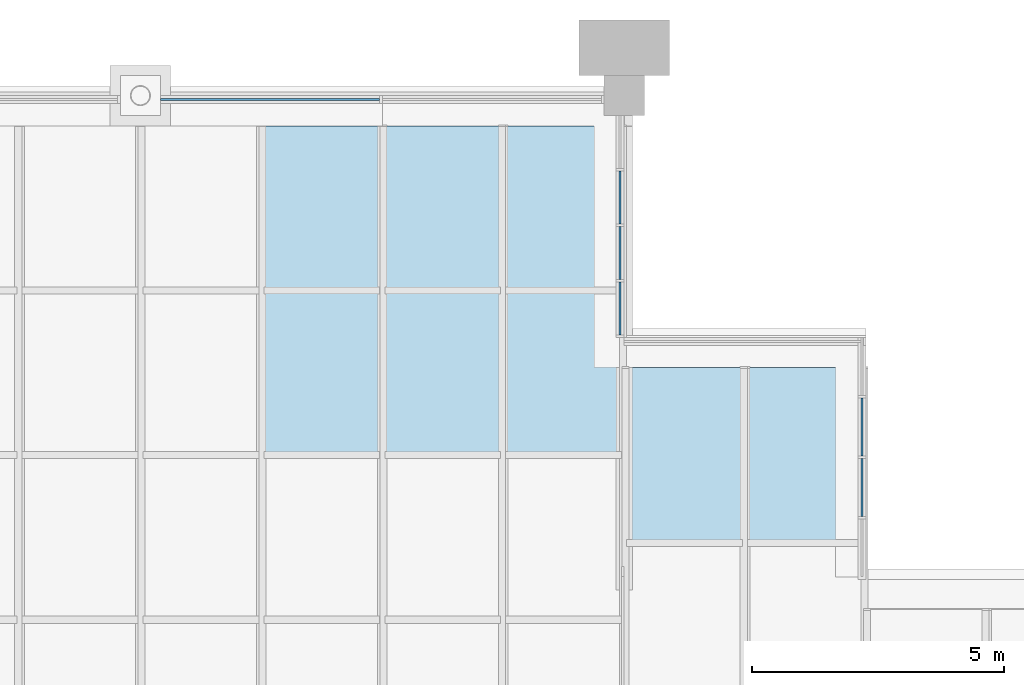
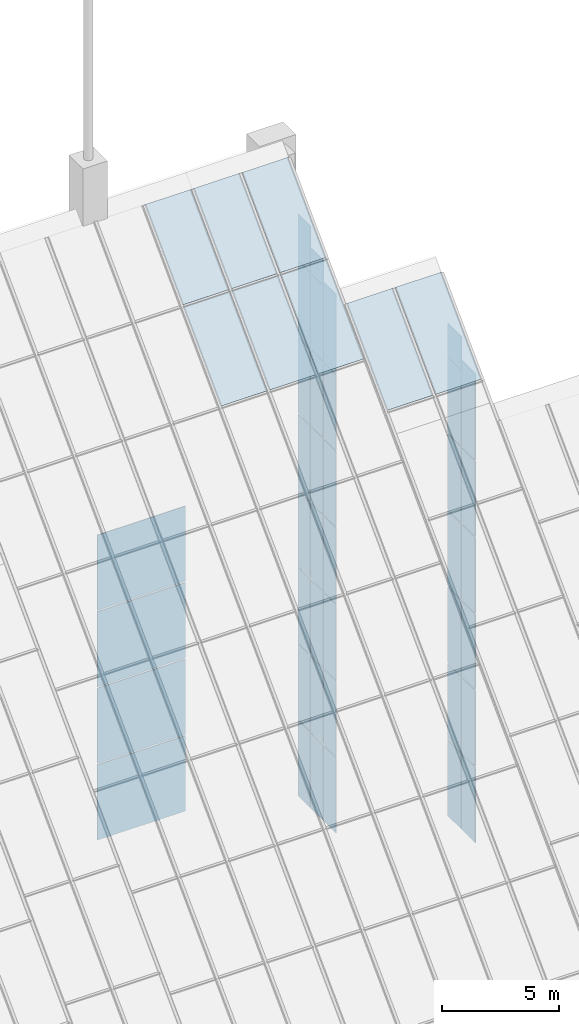
# One storey, part 23 of 25: 48 plates, 45 elements without a shape of their own.
"""IFC4 building model written with IfcOpenShell, lengths in metres."""

from ifc_helpers import new_model, si_unit, direction, frame, origin, origin_2d, place, context, subcontext, project, spatial, polyline, rectangle, outline, extrude, material, layer, layer_set, type_object, element, aggregate, save


model = new_model("IFC4")

# Units and contexts
model_context = context("Model", 3, precision=1e-05, world=origin(), true_north=direction((0.0, 1.0)))
body_context = subcontext(model_context, "Body", "Model", "MODEL_VIEW")
ifc_project = project(units=[si_unit("LENGTHUNIT", "METRE"), si_unit("AREAUNIT", "SQUARE_METRE"), si_unit("VOLUMEUNIT", "CUBIC_METRE"), si_unit("PLANEANGLEUNIT", "RADIAN"), si_unit("MASSUNIT", "GRAM", prefix="KILO")], contexts=[model_context])

# Site, building, storey
site_placement = place(None, origin())
site = spatial("IfcSite", under=ifc_project, at=site_placement, CompositionType="ELEMENT")
building_placement = place(site_placement, origin())
building = spatial("IfcBuilding", under=site, at=building_placement, Name="Baori Bourse Tower", CompositionType="ELEMENT")
storey_placement = place(building_placement, frame((0.0, 0.0, 378.300048828125)))
storey = spatial("IfcBuildingStorey", under=building, at=storey_placement, Name="Roof", CompositionType="ELEMENT", Elevation=378.300048828125)

# Curtain wall, plate
ifc_material_1 = material(Name="Pale anodised aluminium", Category="aluminium")
curtain_wall_type_1 = type_object("IfcCurtainWallType", Name="CW3 Curtain wall", PredefinedType="NOTDEFINED", material=ifc_material_1)
curtain_wall_1_placement = place(storey_placement, origin())
curtain_wall_1 = element("IfcCurtainWall", 1, at=curtain_wall_1_placement, inside=storey, type_object=curtain_wall_type_1, Name="Curtain wall CW3 Roof 7", PredefinedType="NOTDEFINED")
ifc_material_2 = material(Name="Pale anodised aluminium", Category="aluminium")
ifc_layer_1 = layer(ifc_material_2, 0.0400390625)
ifc_layer_set_1 = layer_set([ifc_layer_1], Name="CW3 Curtain wall panel")
plate_type_1 = type_object("IfcPlateType", Name="CW3 Curtain wall panel", PredefinedType="CURTAIN_PANEL", material=ifc_layer_set_1)
plate_1_placement = place(storey_placement, frame((43.1201171875, 40.22509765625, -0.18994140625), z_axis=(0.0, 0.0, 1.0), x_axis=(0.0, 1.0, 0.0)))
plate_1 = element("IfcPlate", 2, at=plate_1_placement, type_object=plate_type_1, Name="Curtain wall CW3 louvre panel", PredefinedType="CURTAIN_PANEL", context=body_context, shape_type="SweptSolid", body=[
    extrude(rectangle(XDim=1.14990234375, YDim=0.0400390625, at=origin_2d()), origin(), (0.0, 0.0, 1.0), 3.93994140625),
])
aggregate(curtain_wall_1, [plate_1])

curtain_wall_2_placement = place(storey_placement, origin())
curtain_wall_2 = element("IfcCurtainWall", 3, at=curtain_wall_2_placement, inside=storey, type_object=curtain_wall_type_1, Name="Curtain wall CW3 Roof 8", PredefinedType="NOTDEFINED")
plate_2_placement = place(storey_placement, frame((43.1201171875, 40.22509765625, 3.81005859375), z_axis=(0.0, 0.0, 1.0), x_axis=(0.0, 1.0, 0.0)))
plate_2 = element("IfcPlate", 4, at=plate_2_placement, type_object=plate_type_1, Name="Curtain wall CW3 louvre panel", PredefinedType="CURTAIN_PANEL", context=body_context, shape_type="SweptSolid", body=[
    extrude(rectangle(XDim=1.14990234375, YDim=0.0400390625, at=origin_2d()), origin(), (0.0, 0.0, 1.0), 3.93994140625),
])
aggregate(curtain_wall_2, [plate_2])

curtain_wall_3_placement = place(storey_placement, origin())
curtain_wall_3 = element("IfcCurtainWall", 5, at=curtain_wall_3_placement, inside=storey, type_object=curtain_wall_type_1, Name="Curtain wall CW3 Roof 9", PredefinedType="NOTDEFINED")
plate_3_placement = place(storey_placement, frame((43.1201171875, 40.22509765625, 7.81005859375), z_axis=(0.0, 0.0, 1.0), x_axis=(0.0, 1.0, 0.0)))
plate_3 = element("IfcPlate", 6, at=plate_3_placement, type_object=plate_type_1, Name="Curtain wall CW3 louvre panel", PredefinedType="CURTAIN_PANEL", context=body_context, shape_type="SweptSolid", body=[
    extrude(rectangle(XDim=1.14990234375, YDim=0.0400390625, at=origin_2d()), origin(), (0.0, 0.0, 1.0), 3.93994140625),
])
aggregate(curtain_wall_3, [plate_3])

curtain_wall_4_placement = place(storey_placement, origin())
curtain_wall_4 = element("IfcCurtainWall", 7, at=curtain_wall_4_placement, inside=storey, type_object=curtain_wall_type_1, Name="Curtain wall CW3 Roof 10", PredefinedType="NOTDEFINED")
plate_4_placement = place(storey_placement, frame((43.1201171875, 40.22509765625, 11.81005859375), z_axis=(0.0, 0.0, 1.0), x_axis=(0.0, 1.0, 0.0)))
plate_4 = element("IfcPlate", 8, at=plate_4_placement, type_object=plate_type_1, Name="Curtain wall CW3 louvre panel", PredefinedType="CURTAIN_PANEL", context=body_context, shape_type="SweptSolid", body=[
    extrude(rectangle(XDim=1.14990234375, YDim=0.0400390625, at=origin_2d()), origin(), (0.0, 0.0, 1.0), 3.93994140625),
])
aggregate(curtain_wall_4, [plate_4])

curtain_wall_5_placement = place(storey_placement, origin())
curtain_wall_5 = element("IfcCurtainWall", 9, at=curtain_wall_5_placement, inside=storey, type_object=curtain_wall_type_1, Name="Curtain wall CW3 Roof 11", PredefinedType="NOTDEFINED")
plate_5_placement = place(storey_placement, frame((43.1201171875, 40.22509765625, 15.81005859375), z_axis=(0.0, 0.0, 1.0), x_axis=(0.0, 1.0, 0.0)))
plate_5 = element("IfcPlate", 10, at=plate_5_placement, type_object=plate_type_1, Name="Curtain wall CW3 louvre panel", PredefinedType="CURTAIN_PANEL", context=body_context, shape_type="SweptSolid", body=[
    extrude(rectangle(XDim=1.14990234375, YDim=0.0400390625, at=origin_2d()), origin(), (0.0, 0.0, 1.0), 3.93994140625),
])
aggregate(curtain_wall_5, [plate_5])

curtain_wall_6_placement = place(storey_placement, origin())
curtain_wall_6 = element("IfcCurtainWall", 11, at=curtain_wall_6_placement, inside=storey, type_object=curtain_wall_type_1, Name="Curtain wall CW3 Roof 12", PredefinedType="NOTDEFINED")
plate_6_placement = place(storey_placement, frame((43.1201171875, 40.22509765625, 19.81005859375), z_axis=(0.0, 0.0, 1.0), x_axis=(0.0, 1.0, 0.0)))
plate_6 = element("IfcPlate", 12, at=plate_6_placement, type_object=plate_type_1, Name="Curtain wall CW3 louvre panel", PredefinedType="CURTAIN_PANEL", context=body_context, shape_type="SweptSolid", body=[
    extrude(rectangle(XDim=1.14990234375, YDim=0.0400390625, at=origin_2d()), origin(), (0.0, 0.0, 1.0), 4.514892578125),
])
aggregate(curtain_wall_6, [plate_6])

curtain_wall_7_placement = place(storey_placement, origin())
curtain_wall_7 = element("IfcCurtainWall", 13, at=curtain_wall_7_placement, inside=storey, type_object=curtain_wall_type_1, Name="Curtain wall CW3 Roof 13", PredefinedType="NOTDEFINED")
plate_7_placement = place(storey_placement, frame((43.1201171875, 41.425048828125, -0.18994140625), z_axis=(0.0, 0.0, 1.0), x_axis=(0.0, 1.0, 0.0)))
plate_7 = element("IfcPlate", 14, at=plate_7_placement, type_object=plate_type_1, Name="Curtain wall CW3 louvre panel", PredefinedType="CURTAIN_PANEL", context=body_context, shape_type="SweptSolid", body=[
    extrude(rectangle(XDim=1.14990234375, YDim=0.0400390625, at=origin_2d()), origin(), (0.0, 0.0, 1.0), 3.93994140625),
])
aggregate(curtain_wall_7, [plate_7])

curtain_wall_8_placement = place(storey_placement, origin())
curtain_wall_8 = element("IfcCurtainWall", 15, at=curtain_wall_8_placement, inside=storey, type_object=curtain_wall_type_1, Name="Curtain wall CW3 Roof 14", PredefinedType="NOTDEFINED")
plate_8_placement = place(storey_placement, frame((43.1201171875, 41.425048828125, 3.81005859375), z_axis=(0.0, 0.0, 1.0), x_axis=(0.0, 1.0, 0.0)))
plate_8 = element("IfcPlate", 16, at=plate_8_placement, type_object=plate_type_1, Name="Curtain wall CW3 louvre panel", PredefinedType="CURTAIN_PANEL", context=body_context, shape_type="SweptSolid", body=[
    extrude(rectangle(XDim=1.14990234375, YDim=0.0400390625, at=origin_2d()), origin(), (0.0, 0.0, 1.0), 3.93994140625),
])
aggregate(curtain_wall_8, [plate_8])

curtain_wall_9_placement = place(storey_placement, origin())
curtain_wall_9 = element("IfcCurtainWall", 17, at=curtain_wall_9_placement, inside=storey, type_object=curtain_wall_type_1, Name="Curtain wall CW3 Roof 15", PredefinedType="NOTDEFINED")
plate_9_placement = place(storey_placement, frame((43.1201171875, 41.425048828125, 7.81005859375), z_axis=(0.0, 0.0, 1.0), x_axis=(0.0, 1.0, 0.0)))
plate_9 = element("IfcPlate", 18, at=plate_9_placement, type_object=plate_type_1, Name="Curtain wall CW3 louvre panel", PredefinedType="CURTAIN_PANEL", context=body_context, shape_type="SweptSolid", body=[
    extrude(rectangle(XDim=1.14990234375, YDim=0.0400390625, at=origin_2d()), origin(), (0.0, 0.0, 1.0), 3.93994140625),
])
aggregate(curtain_wall_9, [plate_9])

curtain_wall_10_placement = place(storey_placement, origin())
curtain_wall_10 = element("IfcCurtainWall", 19, at=curtain_wall_10_placement, inside=storey, type_object=curtain_wall_type_1, Name="Curtain wall CW3 Roof 16", PredefinedType="NOTDEFINED")
plate_10_placement = place(storey_placement, frame((43.1201171875, 41.425048828125, 11.81005859375), z_axis=(0.0, 0.0, 1.0), x_axis=(0.0, 1.0, 0.0)))
plate_10 = element("IfcPlate", 20, at=plate_10_placement, type_object=plate_type_1, Name="Curtain wall CW3 louvre panel", PredefinedType="CURTAIN_PANEL", context=body_context, shape_type="SweptSolid", body=[
    extrude(rectangle(XDim=1.14990234375, YDim=0.0400390625, at=origin_2d()), origin(), (0.0, 0.0, 1.0), 3.93994140625),
])
aggregate(curtain_wall_10, [plate_10])

curtain_wall_11_placement = place(storey_placement, origin())
curtain_wall_11 = element("IfcCurtainWall", 21, at=curtain_wall_11_placement, inside=storey, type_object=curtain_wall_type_1, Name="Curtain wall CW3 Roof 17", PredefinedType="NOTDEFINED")
plate_11_placement = place(storey_placement, frame((43.1201171875, 41.425048828125, 15.81005859375), z_axis=(0.0, 0.0, 1.0), x_axis=(0.0, 1.0, 0.0)))
plate_11 = element("IfcPlate", 22, at=plate_11_placement, type_object=plate_type_1, Name="Curtain wall CW3 louvre panel", PredefinedType="CURTAIN_PANEL", context=body_context, shape_type="SweptSolid", body=[
    extrude(rectangle(XDim=1.14990234375, YDim=0.0400390625, at=origin_2d()), origin(), (0.0, 0.0, 1.0), 3.93994140625),
])
aggregate(curtain_wall_11, [plate_11])

curtain_wall_12_placement = place(storey_placement, origin())
curtain_wall_12 = element("IfcCurtainWall", 23, at=curtain_wall_12_placement, inside=storey, type_object=curtain_wall_type_1, Name="Curtain wall CW3 Roof 18", PredefinedType="NOTDEFINED")
plate_12_placement = place(storey_placement, frame((43.1201171875, 41.425048828125, 19.81005859375), z_axis=(0.0, 0.0, 1.0), x_axis=(0.0, 1.0, 0.0)))
plate_12 = element("IfcPlate", 24, at=plate_12_placement, type_object=plate_type_1, Name="Curtain wall CW3 louvre panel", PredefinedType="CURTAIN_PANEL", context=body_context, shape_type="SweptSolid", body=[
    extrude(rectangle(XDim=1.14990234375, YDim=0.0400390625, at=origin_2d()), origin(), (0.0, 0.0, 1.0), 3.93994140625),
])
aggregate(curtain_wall_12, [plate_12])

curtain_wall_13_placement = place(storey_placement, origin())
curtain_wall_13 = element("IfcCurtainWall", 25, at=curtain_wall_13_placement, inside=storey, type_object=curtain_wall_type_1, Name="Curtain wall CW3 Roof 19", PredefinedType="NOTDEFINED")
plate_13_placement = place(storey_placement, frame((43.1201171875, 41.425048828125, 23.81005859375), z_axis=(0.0, 0.0, 1.0), x_axis=(0.0, 1.0, 0.0)))
plate_13 = element("IfcPlate", 26, at=plate_13_placement, type_object=plate_type_1, Name="Curtain wall CW3 louvre panel", PredefinedType="CURTAIN_PANEL", context=body_context, shape_type="SweptSolid", body=[
    extrude(rectangle(XDim=1.14990234375, YDim=0.0400390625, at=origin_2d()), origin(), (0.0, 0.0, 1.0), 1.72998046875),
])
aggregate(curtain_wall_13, [plate_13])

curtain_wall_14_placement = place(storey_placement, origin())
curtain_wall_14 = element("IfcCurtainWall", 27, at=curtain_wall_14_placement, inside=storey, type_object=curtain_wall_type_1, Name="Curtain wall CW3 Roof 34", PredefinedType="NOTDEFINED")
plate_14_placement = place(storey_placement, frame((38.320068359375, 43.77490234375, -0.18994140625), z_axis=(0.0, 0.0, 1.0), x_axis=(0.0, 1.0, 0.0)))
plate_14 = element("IfcPlate", 28, at=plate_14_placement, type_object=plate_type_1, Name="Curtain wall CW3 louvre panel", PredefinedType="CURTAIN_PANEL", context=body_context, shape_type="SweptSolid", body=[
    extrude(rectangle(XDim=1.050048828125, YDim=0.0400390625, at=origin_2d()), origin(), (0.0, 0.0, 1.0), 3.93994140625),
])
aggregate(curtain_wall_14, [plate_14])

curtain_wall_15_placement = place(storey_placement, origin())
curtain_wall_15 = element("IfcCurtainWall", 29, at=curtain_wall_15_placement, inside=storey, type_object=curtain_wall_type_1, Name="Curtain wall CW3 Roof 35", PredefinedType="NOTDEFINED")
plate_15_placement = place(storey_placement, frame((38.320068359375, 43.77490234375, 3.81005859375), z_axis=(0.0, 0.0, 1.0), x_axis=(0.0, 1.0, 0.0)))
plate_15 = element("IfcPlate", 30, at=plate_15_placement, type_object=plate_type_1, Name="Curtain wall CW3 louvre panel", PredefinedType="CURTAIN_PANEL", context=body_context, shape_type="SweptSolid", body=[
    extrude(rectangle(XDim=1.050048828125, YDim=0.0400390625, at=origin_2d()), origin(), (0.0, 0.0, 1.0), 3.93994140625),
])
aggregate(curtain_wall_15, [plate_15])

curtain_wall_16_placement = place(storey_placement, origin())
curtain_wall_16 = element("IfcCurtainWall", 31, at=curtain_wall_16_placement, inside=storey, type_object=curtain_wall_type_1, Name="Curtain wall CW3 Roof 36", PredefinedType="NOTDEFINED")
plate_16_placement = place(storey_placement, frame((38.320068359375, 43.77490234375, 7.81005859375), z_axis=(0.0, 0.0, 1.0), x_axis=(0.0, 1.0, 0.0)))
plate_16 = element("IfcPlate", 32, at=plate_16_placement, type_object=plate_type_1, Name="Curtain wall CW3 louvre panel", PredefinedType="CURTAIN_PANEL", context=body_context, shape_type="SweptSolid", body=[
    extrude(rectangle(XDim=1.050048828125, YDim=0.0400390625, at=origin_2d()), origin(), (0.0, 0.0, 1.0), 3.93994140625),
])
aggregate(curtain_wall_16, [plate_16])

curtain_wall_17_placement = place(storey_placement, origin())
curtain_wall_17 = element("IfcCurtainWall", 33, at=curtain_wall_17_placement, inside=storey, type_object=curtain_wall_type_1, Name="Curtain wall CW3 Roof 37", PredefinedType="NOTDEFINED")
plate_17_placement = place(storey_placement, frame((38.320068359375, 43.77490234375, 11.81005859375), z_axis=(0.0, 0.0, 1.0), x_axis=(0.0, 1.0, 0.0)))
plate_17 = element("IfcPlate", 34, at=plate_17_placement, type_object=plate_type_1, Name="Curtain wall CW3 louvre panel", PredefinedType="CURTAIN_PANEL", context=body_context, shape_type="SweptSolid", body=[
    extrude(rectangle(XDim=1.050048828125, YDim=0.0400390625, at=origin_2d()), origin(), (0.0, 0.0, 1.0), 3.93994140625),
])
aggregate(curtain_wall_17, [plate_17])

curtain_wall_18_placement = place(storey_placement, origin())
curtain_wall_18 = element("IfcCurtainWall", 35, at=curtain_wall_18_placement, inside=storey, type_object=curtain_wall_type_1, Name="Curtain wall CW3 Roof 38", PredefinedType="NOTDEFINED")
plate_18_placement = place(storey_placement, frame((38.320068359375, 43.77490234375, 15.81005859375), z_axis=(0.0, 0.0, 1.0), x_axis=(0.0, 1.0, 0.0)))
plate_18 = element("IfcPlate", 36, at=plate_18_placement, type_object=plate_type_1, Name="Curtain wall CW3 louvre panel", PredefinedType="CURTAIN_PANEL", context=body_context, shape_type="SweptSolid", body=[
    extrude(rectangle(XDim=1.050048828125, YDim=0.0400390625, at=origin_2d()), origin(), (0.0, 0.0, 1.0), 3.93994140625),
])
aggregate(curtain_wall_18, [plate_18])

curtain_wall_19_placement = place(storey_placement, origin())
curtain_wall_19 = element("IfcCurtainWall", 37, at=curtain_wall_19_placement, inside=storey, type_object=curtain_wall_type_1, Name="Curtain wall CW3 Roof 39", PredefinedType="NOTDEFINED")
plate_19_placement = place(storey_placement, frame((38.320068359375, 43.77490234375, 19.81005859375), z_axis=(0.0, 0.0, 1.0), x_axis=(0.0, 1.0, 0.0)))
plate_19 = element("IfcPlate", 38, at=plate_19_placement, type_object=plate_type_1, Name="Curtain wall CW3 louvre panel", PredefinedType="CURTAIN_PANEL", context=body_context, shape_type="SweptSolid", body=[
    extrude(rectangle(XDim=1.050048828125, YDim=0.0400390625, at=origin_2d()), origin(), (0.0, 0.0, 1.0), 3.93994140625),
])
aggregate(curtain_wall_19, [plate_19])

curtain_wall_20_placement = place(storey_placement, origin())
curtain_wall_20 = element("IfcCurtainWall", 39, at=curtain_wall_20_placement, inside=storey, type_object=curtain_wall_type_1, Name="Curtain wall CW3 Roof 40", PredefinedType="NOTDEFINED")
plate_20_placement = place(storey_placement, frame((38.320068359375, 43.77490234375, 23.81005859375), z_axis=(0.0, 0.0, 1.0), x_axis=(0.0, 1.0, 0.0)))
plate_20 = element("IfcPlate", 40, at=plate_20_placement, type_object=plate_type_1, Name="Curtain wall CW3 louvre panel", PredefinedType="CURTAIN_PANEL", context=body_context, shape_type="SweptSolid", body=[
    extrude(rectangle(XDim=1.050048828125, YDim=0.0400390625, at=origin_2d()), origin(), (0.0, 0.0, 1.0), 4.159912109375),
])
aggregate(curtain_wall_20, [plate_20])

curtain_wall_21_placement = place(storey_placement, origin())
curtain_wall_21 = element("IfcCurtainWall", 41, at=curtain_wall_21_placement, inside=storey, type_object=curtain_wall_type_1, Name="Curtain wall CW3 Roof 41", PredefinedType="NOTDEFINED")
plate_21_placement = place(storey_placement, frame((38.320068359375, 44.875, -0.18994140625), z_axis=(0.0, 0.0, 1.0), x_axis=(0.0, 1.0, 0.0)))
plate_21 = element("IfcPlate", 42, at=plate_21_placement, type_object=plate_type_1, Name="Curtain wall CW3 louvre panel", PredefinedType="CURTAIN_PANEL", context=body_context, shape_type="SweptSolid", body=[
    extrude(rectangle(XDim=1.050048828125, YDim=0.0400390625, at=origin_2d()), origin(), (0.0, 0.0, 1.0), 3.93994140625),
])
aggregate(curtain_wall_21, [plate_21])

curtain_wall_22_placement = place(storey_placement, origin())
curtain_wall_22 = element("IfcCurtainWall", 43, at=curtain_wall_22_placement, inside=storey, type_object=curtain_wall_type_1, Name="Curtain wall CW3 Roof 42", PredefinedType="NOTDEFINED")
plate_22_placement = place(storey_placement, frame((38.320068359375, 44.875, 3.81005859375), z_axis=(0.0, 0.0, 1.0), x_axis=(0.0, 1.0, 0.0)))
plate_22 = element("IfcPlate", 44, at=plate_22_placement, type_object=plate_type_1, Name="Curtain wall CW3 louvre panel", PredefinedType="CURTAIN_PANEL", context=body_context, shape_type="SweptSolid", body=[
    extrude(rectangle(XDim=1.050048828125, YDim=0.0400390625, at=origin_2d()), origin(), (0.0, 0.0, 1.0), 3.93994140625),
])
aggregate(curtain_wall_22, [plate_22])

curtain_wall_23_placement = place(storey_placement, origin())
curtain_wall_23 = element("IfcCurtainWall", 45, at=curtain_wall_23_placement, inside=storey, type_object=curtain_wall_type_1, Name="Curtain wall CW3 Roof 43", PredefinedType="NOTDEFINED")
plate_23_placement = place(storey_placement, frame((38.320068359375, 44.875, 7.81005859375), z_axis=(0.0, 0.0, 1.0), x_axis=(0.0, 1.0, 0.0)))
plate_23 = element("IfcPlate", 46, at=plate_23_placement, type_object=plate_type_1, Name="Curtain wall CW3 louvre panel", PredefinedType="CURTAIN_PANEL", context=body_context, shape_type="SweptSolid", body=[
    extrude(rectangle(XDim=1.050048828125, YDim=0.0400390625, at=origin_2d()), origin(), (0.0, 0.0, 1.0), 3.93994140625),
])
aggregate(curtain_wall_23, [plate_23])

curtain_wall_24_placement = place(storey_placement, origin())
curtain_wall_24 = element("IfcCurtainWall", 47, at=curtain_wall_24_placement, inside=storey, type_object=curtain_wall_type_1, Name="Curtain wall CW3 Roof 44", PredefinedType="NOTDEFINED")
plate_24_placement = place(storey_placement, frame((38.320068359375, 44.875, 11.81005859375), z_axis=(0.0, 0.0, 1.0), x_axis=(0.0, 1.0, 0.0)))
plate_24 = element("IfcPlate", 48, at=plate_24_placement, type_object=plate_type_1, Name="Curtain wall CW3 louvre panel", PredefinedType="CURTAIN_PANEL", context=body_context, shape_type="SweptSolid", body=[
    extrude(rectangle(XDim=1.050048828125, YDim=0.0400390625, at=origin_2d()), origin(), (0.0, 0.0, 1.0), 3.93994140625),
])
aggregate(curtain_wall_24, [plate_24])

curtain_wall_25_placement = place(storey_placement, origin())
curtain_wall_25 = element("IfcCurtainWall", 49, at=curtain_wall_25_placement, inside=storey, type_object=curtain_wall_type_1, Name="Curtain wall CW3 Roof 45", PredefinedType="NOTDEFINED")
plate_25_placement = place(storey_placement, frame((38.320068359375, 44.875, 15.81005859375), z_axis=(0.0, 0.0, 1.0), x_axis=(0.0, 1.0, 0.0)))
plate_25 = element("IfcPlate", 50, at=plate_25_placement, type_object=plate_type_1, Name="Curtain wall CW3 louvre panel", PredefinedType="CURTAIN_PANEL", context=body_context, shape_type="SweptSolid", body=[
    extrude(rectangle(XDim=1.050048828125, YDim=0.0400390625, at=origin_2d()), origin(), (0.0, 0.0, 1.0), 3.93994140625),
])
aggregate(curtain_wall_25, [plate_25])

curtain_wall_26_placement = place(storey_placement, origin())
curtain_wall_26 = element("IfcCurtainWall", 51, at=curtain_wall_26_placement, inside=storey, type_object=curtain_wall_type_1, Name="Curtain wall CW3 Roof 46", PredefinedType="NOTDEFINED")
plate_26_placement = place(storey_placement, frame((38.320068359375, 44.875, 19.81005859375), z_axis=(0.0, 0.0, 1.0), x_axis=(0.0, 1.0, 0.0)))
plate_26 = element("IfcPlate", 52, at=plate_26_placement, type_object=plate_type_1, Name="Curtain wall CW3 louvre panel", PredefinedType="CURTAIN_PANEL", context=body_context, shape_type="SweptSolid", body=[
    extrude(rectangle(XDim=1.050048828125, YDim=0.0400390625, at=origin_2d()), origin(), (0.0, 0.0, 1.0), 3.93994140625),
])
aggregate(curtain_wall_26, [plate_26])

curtain_wall_27_placement = place(storey_placement, origin())
curtain_wall_27 = element("IfcCurtainWall", 53, at=curtain_wall_27_placement, inside=storey, type_object=curtain_wall_type_1, Name="Curtain wall CW3 Roof 47", PredefinedType="NOTDEFINED")
plate_27_placement = place(storey_placement, frame((38.320068359375, 44.875, 23.81005859375), z_axis=(0.0, 0.0, 1.0), x_axis=(0.0, 1.0, 0.0)))
plate_27 = element("IfcPlate", 54, at=plate_27_placement, type_object=plate_type_1, Name="Curtain wall CW3 louvre panel", PredefinedType="CURTAIN_PANEL", context=body_context, shape_type="SweptSolid", body=[
    extrude(rectangle(XDim=1.050048828125, YDim=0.0400390625, at=origin_2d()), origin(), (0.0, 0.0, 1.0), 3.93994140625),
])
aggregate(curtain_wall_27, [plate_27])

curtain_wall_28_placement = place(storey_placement, origin())
curtain_wall_28 = element("IfcCurtainWall", 55, at=curtain_wall_28_placement, inside=storey, type_object=curtain_wall_type_1, Name="Curtain wall CW3 Roof 48", PredefinedType="NOTDEFINED")
plate_28_placement = place(storey_placement, frame((38.320068359375, 44.875, 27.81005859375), z_axis=(0.0, 0.0, 1.0), x_axis=(0.0, 1.0, 0.0)))
plate_28 = element("IfcPlate", 56, at=plate_28_placement, type_object=plate_type_1, Name="Curtain wall CW3 louvre panel", PredefinedType="CURTAIN_PANEL", context=body_context, shape_type="SweptSolid", body=[
    extrude(rectangle(XDim=1.050048828125, YDim=0.0400390625, at=origin_2d()), origin(), (0.0, 0.0, 1.0), 1.273681640625),
])
aggregate(curtain_wall_28, [plate_28])

curtain_wall_29_placement = place(storey_placement, origin())
curtain_wall_29 = element("IfcCurtainWall", 57, at=curtain_wall_29_placement, inside=storey, type_object=curtain_wall_type_1, Name="Curtain wall CW3 Roof 49", PredefinedType="NOTDEFINED")
plate_29_placement = place(storey_placement, frame((38.320068359375, 45.97509765625, -0.18994140625), z_axis=(0.0, 0.0, 1.0), x_axis=(0.0, 1.0, 0.0)))
plate_29 = element("IfcPlate", 58, at=plate_29_placement, type_object=plate_type_1, Name="Curtain wall CW3 louvre panel", PredefinedType="CURTAIN_PANEL", context=body_context, shape_type="SweptSolid", body=[
    extrude(rectangle(XDim=1.050048828125, YDim=0.0400390625, at=origin_2d()), origin(), (0.0, 0.0, 1.0), 3.93994140625),
])
aggregate(curtain_wall_29, [plate_29])

curtain_wall_30_placement = place(storey_placement, origin())
curtain_wall_30 = element("IfcCurtainWall", 59, at=curtain_wall_30_placement, inside=storey, type_object=curtain_wall_type_1, Name="Curtain wall CW3 Roof 50", PredefinedType="NOTDEFINED")
plate_30_placement = place(storey_placement, frame((38.320068359375, 45.97509765625, 3.81005859375), z_axis=(0.0, 0.0, 1.0), x_axis=(0.0, 1.0, 0.0)))
plate_30 = element("IfcPlate", 60, at=plate_30_placement, type_object=plate_type_1, Name="Curtain wall CW3 louvre panel", PredefinedType="CURTAIN_PANEL", context=body_context, shape_type="SweptSolid", body=[
    extrude(rectangle(XDim=1.050048828125, YDim=0.0400390625, at=origin_2d()), origin(), (0.0, 0.0, 1.0), 3.93994140625),
])
aggregate(curtain_wall_30, [plate_30])

curtain_wall_31_placement = place(storey_placement, origin())
curtain_wall_31 = element("IfcCurtainWall", 61, at=curtain_wall_31_placement, inside=storey, type_object=curtain_wall_type_1, Name="Curtain wall CW3 Roof 51", PredefinedType="NOTDEFINED")
plate_31_placement = place(storey_placement, frame((38.320068359375, 45.97509765625, 7.81005859375), z_axis=(0.0, 0.0, 1.0), x_axis=(0.0, 1.0, 0.0)))
plate_31 = element("IfcPlate", 62, at=plate_31_placement, type_object=plate_type_1, Name="Curtain wall CW3 louvre panel", PredefinedType="CURTAIN_PANEL", context=body_context, shape_type="SweptSolid", body=[
    extrude(rectangle(XDim=1.050048828125, YDim=0.0400390625, at=origin_2d()), origin(), (0.0, 0.0, 1.0), 3.93994140625),
])
aggregate(curtain_wall_31, [plate_31])

curtain_wall_32_placement = place(storey_placement, origin())
curtain_wall_32 = element("IfcCurtainWall", 63, at=curtain_wall_32_placement, inside=storey, type_object=curtain_wall_type_1, Name="Curtain wall CW3 Roof 52", PredefinedType="NOTDEFINED")
plate_32_placement = place(storey_placement, frame((38.320068359375, 45.97509765625, 11.81005859375), z_axis=(0.0, 0.0, 1.0), x_axis=(0.0, 1.0, 0.0)))
plate_32 = element("IfcPlate", 64, at=plate_32_placement, type_object=plate_type_1, Name="Curtain wall CW3 louvre panel", PredefinedType="CURTAIN_PANEL", context=body_context, shape_type="SweptSolid", body=[
    extrude(rectangle(XDim=1.050048828125, YDim=0.0400390625, at=origin_2d()), origin(), (0.0, 0.0, 1.0), 3.93994140625),
])
aggregate(curtain_wall_32, [plate_32])

curtain_wall_33_placement = place(storey_placement, origin())
curtain_wall_33 = element("IfcCurtainWall", 65, at=curtain_wall_33_placement, inside=storey, type_object=curtain_wall_type_1, Name="Curtain wall CW3 Roof 53", PredefinedType="NOTDEFINED")
plate_33_placement = place(storey_placement, frame((38.320068359375, 45.97509765625, 15.81005859375), z_axis=(0.0, 0.0, 1.0), x_axis=(0.0, 1.0, 0.0)))
plate_33 = element("IfcPlate", 66, at=plate_33_placement, type_object=plate_type_1, Name="Curtain wall CW3 louvre panel", PredefinedType="CURTAIN_PANEL", context=body_context, shape_type="SweptSolid", body=[
    extrude(rectangle(XDim=1.050048828125, YDim=0.0400390625, at=origin_2d()), origin(), (0.0, 0.0, 1.0), 3.93994140625),
])
aggregate(curtain_wall_33, [plate_33])

curtain_wall_34_placement = place(storey_placement, origin())
curtain_wall_34 = element("IfcCurtainWall", 67, at=curtain_wall_34_placement, inside=storey, type_object=curtain_wall_type_1, Name="Curtain wall CW3 Roof 54", PredefinedType="NOTDEFINED")
plate_34_placement = place(storey_placement, frame((38.320068359375, 45.97509765625, 19.81005859375), z_axis=(0.0, 0.0, 1.0), x_axis=(0.0, 1.0, 0.0)))
plate_34 = element("IfcPlate", 68, at=plate_34_placement, type_object=plate_type_1, Name="Curtain wall CW3 louvre panel", PredefinedType="CURTAIN_PANEL", context=body_context, shape_type="SweptSolid", body=[
    extrude(rectangle(XDim=1.050048828125, YDim=0.0400390625, at=origin_2d()), origin(), (0.0, 0.0, 1.0), 3.93994140625),
])
aggregate(curtain_wall_34, [plate_34])

curtain_wall_35_placement = place(storey_placement, origin())
curtain_wall_35 = element("IfcCurtainWall", 69, at=curtain_wall_35_placement, inside=storey, type_object=curtain_wall_type_1, Name="Curtain wall CW3 Roof 55", PredefinedType="NOTDEFINED")
plate_35_placement = place(storey_placement, frame((38.320068359375, 45.97509765625, 23.81005859375), z_axis=(0.0, 0.0, 1.0), x_axis=(0.0, 1.0, 0.0)))
plate_35 = element("IfcPlate", 70, at=plate_35_placement, type_object=plate_type_1, Name="Curtain wall CW3 louvre panel", PredefinedType="CURTAIN_PANEL", context=body_context, shape_type="SweptSolid", body=[
    extrude(rectangle(XDim=1.050048828125, YDim=0.0400390625, at=origin_2d()), origin(), (0.0, 0.0, 1.0), 3.93994140625),
])
aggregate(curtain_wall_35, [plate_35])

curtain_wall_36_placement = place(storey_placement, origin())
curtain_wall_36 = element("IfcCurtainWall", 71, at=curtain_wall_36_placement, inside=storey, type_object=curtain_wall_type_1, Name="Curtain wall CW3 Roof 56", PredefinedType="NOTDEFINED")
plate_36_placement = place(storey_placement, frame((38.320068359375, 45.97509765625, 27.81005859375), z_axis=(0.0, 0.0, 1.0), x_axis=(0.0, 1.0, 0.0)))
plate_36 = element("IfcPlate", 72, at=plate_36_placement, type_object=plate_type_1, Name="Curtain wall CW3 louvre panel", PredefinedType="CURTAIN_PANEL", context=body_context, shape_type="SweptSolid", body=[
    extrude(rectangle(XDim=1.050048828125, YDim=0.0400390625, at=origin_2d()), origin(), (0.0, 0.0, 1.0), 2.387451171875),
])
aggregate(curtain_wall_36, [plate_36])

curtain_wall_37_placement = place(storey_placement, origin())
curtain_wall_37 = element("IfcCurtainWall", 73, at=curtain_wall_37_placement, inside=storey, type_object=curtain_wall_type_1, Name="Curtain wall CW3 Roof 74", PredefinedType="NOTDEFINED")
plate_37_placement = place(storey_placement, frame((31.375, 47.919921875, -0.18994140625), z_axis=(0.0, 0.0, 1.0), x_axis=(-1.0, 0.0, 0.0)))
plate_37 = element("IfcPlate", 74, at=plate_37_placement, type_object=plate_type_1, Name="Curtain wall CW3 louvre panel", PredefinedType="CURTAIN_PANEL", context=body_context, shape_type="SweptSolid", body=[
    extrude(rectangle(XDim=4.35009765625, YDim=0.0400390625, at=origin_2d()), origin(), (0.0, 0.0, 1.0), 3.93994140625),
])
aggregate(curtain_wall_37, [plate_37])

curtain_wall_38_placement = place(storey_placement, origin())
curtain_wall_38 = element("IfcCurtainWall", 75, at=curtain_wall_38_placement, inside=storey, type_object=curtain_wall_type_1, Name="Curtain wall CW3 Roof 75", PredefinedType="NOTDEFINED")
plate_38_placement = place(storey_placement, frame((31.375, 47.919921875, 3.81005859375), z_axis=(0.0, 0.0, 1.0), x_axis=(-1.0, 0.0, 0.0)))
plate_38 = element("IfcPlate", 76, at=plate_38_placement, type_object=plate_type_1, Name="Curtain wall CW3 louvre panel", PredefinedType="CURTAIN_PANEL", context=body_context, shape_type="SweptSolid", body=[
    extrude(rectangle(XDim=4.35009765625, YDim=0.0400390625, at=origin_2d()), origin(), (0.0, 0.0, 1.0), 3.93994140625),
])
aggregate(curtain_wall_38, [plate_38])

curtain_wall_39_placement = place(storey_placement, origin())
curtain_wall_39 = element("IfcCurtainWall", 77, at=curtain_wall_39_placement, inside=storey, type_object=curtain_wall_type_1, Name="Curtain wall CW3 Roof 76", PredefinedType="NOTDEFINED")
plate_39_placement = place(storey_placement, frame((31.375, 47.919921875, 7.81005859375), z_axis=(0.0, 0.0, 1.0), x_axis=(-1.0, 0.0, 0.0)))
plate_39 = element("IfcPlate", 78, at=plate_39_placement, type_object=plate_type_1, Name="Curtain wall CW3 louvre panel", PredefinedType="CURTAIN_PANEL", context=body_context, shape_type="SweptSolid", body=[
    extrude(rectangle(XDim=4.35009765625, YDim=0.0400390625, at=origin_2d()), origin(), (0.0, 0.0, 1.0), 3.93994140625),
])
aggregate(curtain_wall_39, [plate_39])

curtain_wall_40_placement = place(storey_placement, origin())
curtain_wall_40 = element("IfcCurtainWall", 79, at=curtain_wall_40_placement, inside=storey, type_object=curtain_wall_type_1, Name="Curtain wall CW3 Roof 77", PredefinedType="NOTDEFINED")
plate_40_placement = place(storey_placement, frame((31.375, 47.919921875, 11.81005859375), z_axis=(0.0, 0.0, 1.0), x_axis=(-1.0, 0.0, 0.0)))
plate_40 = element("IfcPlate", 80, at=plate_40_placement, type_object=plate_type_1, Name="Curtain wall CW3 louvre panel", PredefinedType="CURTAIN_PANEL", context=body_context, shape_type="SweptSolid", body=[
    extrude(rectangle(XDim=4.35009765625, YDim=0.0400390625, at=origin_2d()), origin(), (0.0, 0.0, 1.0), 3.93994140625),
])
aggregate(curtain_wall_40, [plate_40])

# Curtain wall, plates
ifc_material_3 = material(Name="Pale anodised aluminium", Category="aluminium")
curtain_wall_type_2 = type_object("IfcCurtainWallType", Name="CW4 Curtain wall", PredefinedType="NOTDEFINED", material=ifc_material_3)
curtain_wall_41_placement = place(storey_placement, origin())
curtain_wall_41 = element("IfcCurtainWall", 81, at=curtain_wall_41_placement, inside=storey, type_object=curtain_wall_type_2, Name="Curtain wall CW4 roof glazing 19", PredefinedType="NOTDEFINED")
ifc_material_4 = material(Name="Clear glass", Category="glass")
ifc_layer_2 = layer(ifc_material_4, 0.02587890625)
ifc_layer_set_2 = layer_set([ifc_layer_2], Name="CW4 Curtain wall panel")
plate_type_2 = type_object("IfcPlateType", Name="CW4 Curtain wall panel", PredefinedType="CURTAIN_PANEL", material=ifc_layer_set_2)
plate_41_placement = place(storey_placement, frame((31.25, 40.89208984375, 26.021484375), z_axis=(0.0, -0.711472169684, 0.702714274628), x_axis=(1.0, 0.0, 0.0)))
plate_41 = element("IfcPlate", 82, at=plate_41_placement, type_object=plate_type_2, Name="Curtain wall CW4 roof glass 19.9", PredefinedType="CURTAIN_PANEL", context=body_context, shape_type="SweptSolid", body=[
    extrude(outline(polyline([(0.0, 0.0), (2.300048828125, 0.0), (2.300048828125, 4.571767787236855), (0.0, 4.571767787236855), (0.0, 0.0)])), origin(), (0.0, 0.0, -1.0), 0.02587890625),
])
plate_42_placement = place(storey_placement, frame((31.25, 44.159912109375, 29.329833984375), z_axis=(0.0, -0.711514110616, 0.702671808453), x_axis=(1.0, 0.0, 0.0)))
plate_42 = element("IfcPlate", 83, at=plate_42_placement, type_object=plate_type_2, Name="Curtain wall CW4 roof glass 19.10", PredefinedType="CURTAIN_PANEL", context=body_context, shape_type="SweptSolid", body=[
    extrude(outline(polyline([(0.0, 0.0), (2.300048828125, 0.0), (2.300048828125, 4.610958053817105), (0.0, 4.610958053817105), (0.0, 0.0)])), origin(), (0.0, 0.0, -1.0), 0.02587890625),
])
aggregate(curtain_wall_41, [plate_41, plate_42])

curtain_wall_42_placement = place(storey_placement, origin())
curtain_wall_42 = element("IfcCurtainWall", 84, at=curtain_wall_42_placement, inside=storey, type_object=curtain_wall_type_2, Name="Curtain wall CW4 roof glazing 21", PredefinedType="NOTDEFINED")
plate_43_placement = place(storey_placement, frame((33.64990234375, 40.89208984375, 26.021484375), z_axis=(0.0, -0.711472169684, 0.702714274628), x_axis=(1.0, 0.0, 0.0)))
plate_43 = element("IfcPlate", 85, at=plate_43_placement, type_object=plate_type_2, Name="Curtain wall CW4 roof glass 21.9", PredefinedType="CURTAIN_PANEL", context=body_context, shape_type="SweptSolid", body=[
    extrude(outline(polyline([(0.0, 0.0), (2.300048828125, 0.0), (2.300048828125, 4.571767787236855), (0.0, 4.571767787236855), (0.0, 0.0)])), origin(), (0.0, 0.0, -1.0), 0.02587890625),
])
plate_44_placement = place(storey_placement, frame((33.64990234375, 44.159912109375, 29.329833984375), z_axis=(0.0, -0.711514110616, 0.702671808453), x_axis=(1.0, 0.0, 0.0)))
plate_44 = element("IfcPlate", 86, at=plate_44_placement, type_object=plate_type_2, Name="Curtain wall CW4 roof glass 21.10", PredefinedType="CURTAIN_PANEL", context=body_context, shape_type="SweptSolid", body=[
    extrude(outline(polyline([(0.0, 0.0), (2.300048828125, 0.0), (2.300048828125, 4.610958053817105), (0.0, 4.610958053817105), (0.0, 0.0)])), origin(), (0.0, 0.0, -1.0), 0.02587890625),
])
aggregate(curtain_wall_42, [plate_43, plate_44])

curtain_wall_43_placement = place(storey_placement, origin())
curtain_wall_43 = element("IfcCurtainWall", 87, at=curtain_wall_43_placement, inside=storey, type_object=curtain_wall_type_2, Name="Curtain wall CW4 roof glazing 23", PredefinedType="NOTDEFINED")
plate_45_placement = place(storey_placement, frame((36.050048828125, 40.89208984375, 26.021484375), z_axis=(0.0, -0.711472169684, 0.702714274628), x_axis=(1.0, 0.0, 0.0)))
plate_45 = element("IfcPlate", 88, at=plate_45_placement, type_object=plate_type_2, Name="Curtain wall CW4 roof glass 23.9", PredefinedType="CURTAIN_PANEL", context=body_context, shape_type="SweptSolid", body=[
    extrude(outline(polyline([(0.0, 0.0), (2.300048828125, 0.0), (2.300048828125, 4.571767787236855), (0.0, 4.571767787236855), (0.0, 0.0)])), origin(), (0.0, 0.0, -1.0), 0.02587890625),
])
plate_46_placement = place(storey_placement, frame((36.050048828125, 44.159912109375, 29.329833984375), z_axis=(0.0, -0.711514110616, 0.702671808453), x_axis=(1.0, 0.0, 0.0)))
plate_46 = element("IfcPlate", 89, at=plate_46_placement, type_object=plate_type_2, Name="Curtain wall CW4 roof glass 23.10", PredefinedType="CURTAIN_PANEL", context=body_context, shape_type="SweptSolid", body=[
    extrude(outline(polyline([(0.0, 0.0), (2.300048828125, 0.0), (2.300048828125, 4.610958053817105), (0.0, 4.610958053817105), (0.0, 0.0)])), origin(), (0.0, 0.0, -1.0), 0.02587890625),
])
aggregate(curtain_wall_43, [plate_45, plate_46])

# Curtain wall, plate
curtain_wall_44_placement = place(storey_placement, origin())
curtain_wall_44 = element("IfcCurtainWall", 90, at=curtain_wall_44_placement, inside=storey, type_object=curtain_wall_type_2, Name="Curtain wall CW4 roof glazing 25", PredefinedType="NOTDEFINED")
plate_47_placement = place(storey_placement, frame((38.449951171875, 39.142822265625, 24.335693359375), z_axis=(0.0, -0.711460214238, 0.702726378868), x_axis=(1.0, 0.0, 0.0)))
plate_47 = element("IfcPlate", 91, at=plate_47_placement, type_object=plate_type_2, Name="Curtain wall CW4 roof glass 25.8", PredefinedType="CURTAIN_PANEL", context=body_context, shape_type="SweptSolid", body=[
    extrude(outline(polyline([(0.0, 0.0), (2.300048828125, 0.0), (2.300048828125, 4.919803062176462), (0.0, 4.919803062176462), (0.0, 0.0)])), origin(), (0.0, 0.0, -1.0), 0.02587890625),
])
aggregate(curtain_wall_44, [plate_47])

curtain_wall_45_placement = place(storey_placement, origin())
curtain_wall_45 = element("IfcCurtainWall", 92, at=curtain_wall_45_placement, inside=storey, type_object=curtain_wall_type_2, Name="Curtain wall CW4 roof glazing 27", PredefinedType="NOTDEFINED")
plate_48_placement = place(storey_placement, frame((40.85009765625, 39.142822265625, 24.335693359375), z_axis=(0.0, -0.711460214238, 0.702726378868), x_axis=(1.0, 0.0, 0.0)))
plate_48 = element("IfcPlate", 93, at=plate_48_placement, type_object=plate_type_2, Name="Curtain wall CW4 roof glass 27.8", PredefinedType="CURTAIN_PANEL", context=body_context, shape_type="SweptSolid", body=[
    extrude(outline(polyline([(0.0, 0.0), (2.2998046875, 0.0), (2.2998046875, 4.919803062176462), (0.0, 4.919803062176462), (0.0, 0.0)])), origin(), (0.0, 0.0, -1.0), 0.02587890625),
])
aggregate(curtain_wall_45, [plate_48])

save(model, "model.ifc")
